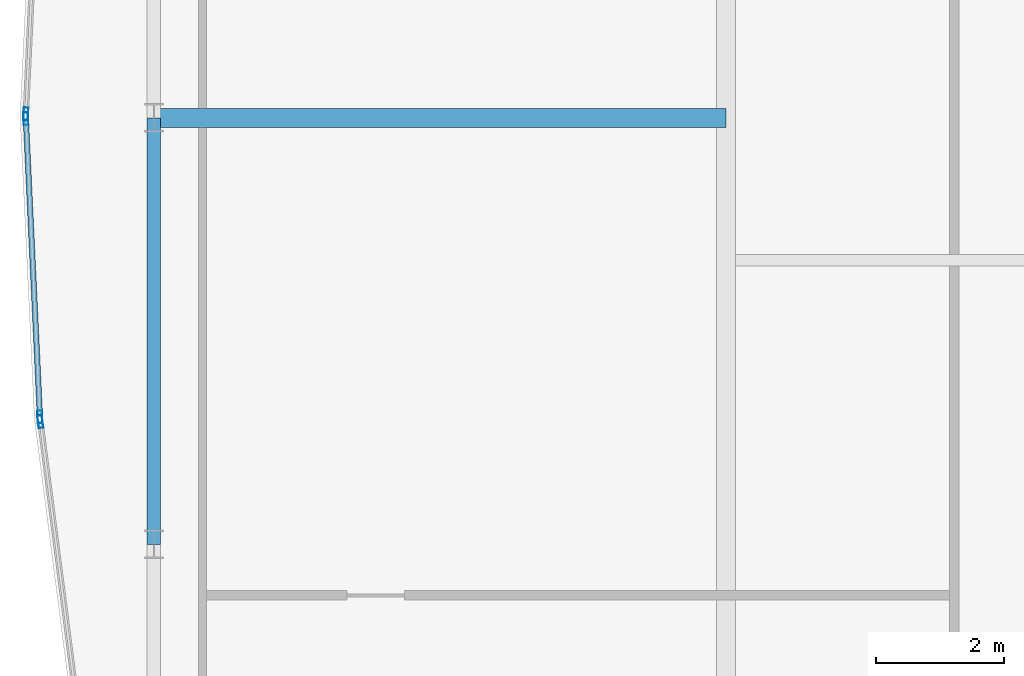
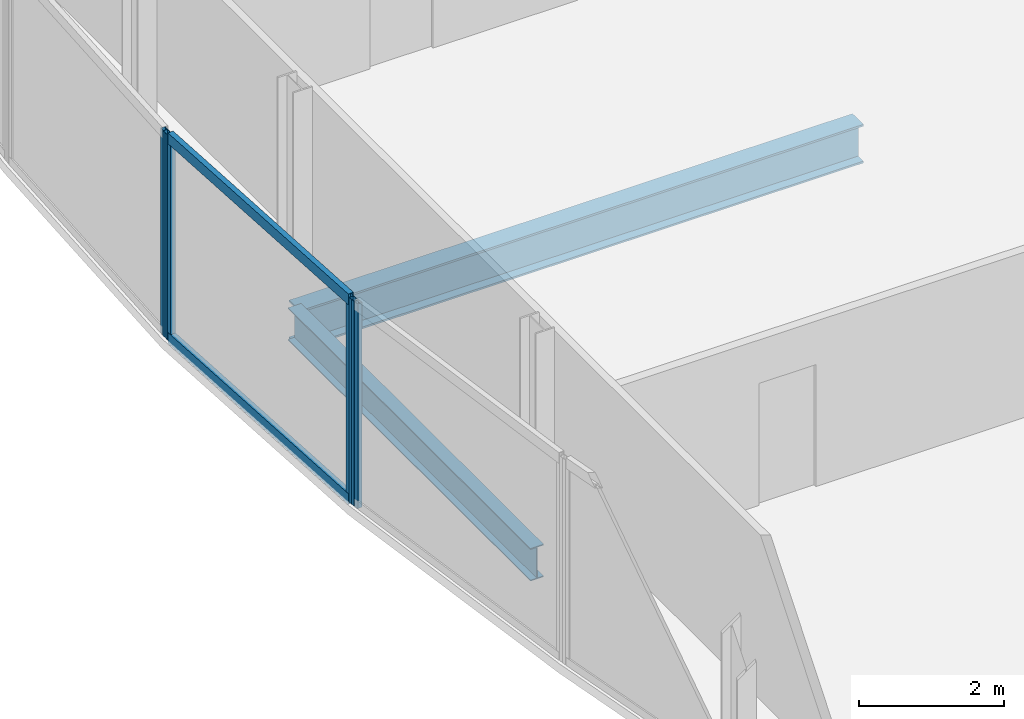
# One storey, part 10 of 30: 6 members, 2 beams, 3 elements without a shape of their own.
"""IFC4 building model written with IfcOpenShell, lengths in metres."""

from ifc_helpers import new_model, si_unit, direction, frame, origin, origin_2d, place, context, subcontext, project, spatial, hollow_rectangle, i_section, extrude, material, material_profile, profile_set, type_object, element, aggregate, save


model = new_model("IFC4")

# Units and contexts
model_context = context("Model", 3, precision=1e-05, world=origin(), true_north=direction((0.0, 1.0)))
body_context = subcontext(model_context, "Body", "Model", "MODEL_VIEW")
ifc_project = project(units=[si_unit("LENGTHUNIT", "METRE"), si_unit("AREAUNIT", "SQUARE_METRE"), si_unit("VOLUMEUNIT", "CUBIC_METRE"), si_unit("PLANEANGLEUNIT", "RADIAN"), si_unit("MASSUNIT", "GRAM", prefix="KILO")], contexts=[model_context])

# Site, building, storey
site_placement = place(None, origin())
site = spatial("IfcSite", under=ifc_project, at=site_placement, CompositionType="ELEMENT")
building_placement = place(site_placement, origin())
building = spatial("IfcBuilding", under=site, at=building_placement, Name="Khoronbel Lancet Exchange", CompositionType="ELEMENT")
storey_placement = place(building_placement, frame((0.0, 0.0, 277.0)))
storey = spatial("IfcBuildingStorey", under=building, at=storey_placement, Name="L71", CompositionType="ELEMENT", Elevation=277.0)

# Beams
ifc_material_1 = material(Name="Steel S355", Category="steel")
ifc_material_profile_1 = material_profile(ifc_material_1, i_section(OverallWidth=0.300048828125, OverallDepth=0.64990234375, WebThickness=0.01611328125, FlangeThickness=0.031005859375, at=origin_2d()), Name="HEB 650")
ifc_profile_set_1 = profile_set([ifc_material_profile_1], Name="Steel S355")
beam_type_1 = type_object("IfcBeamType", Name="BM-BG4", PredefinedType="BEAM", material=ifc_profile_set_1)
beam_1_placement = place(storey_placement, frame((9.27001953125, 31.425048828125, -0.485107421875), z_axis=(1.0, 0.0, 0.0), x_axis=(0.0, 1.0, 0.0)))
element("IfcBeam", 1, at=beam_1_placement, inside=storey, type_object=beam_type_1, Name="Level L71 west lens tie girder LG2W", PredefinedType="BEAM", context=body_context, shape_type="SweptSolid", body=[
    extrude(i_section(OverallWidth=0.300048828125, OverallDepth=0.64990234375, WebThickness=0.01611328125, FlangeThickness=0.031005859375, at=origin_2d()), origin(), (0.0, 0.0, 1.0), 8.955078125),
])
ifc_material_profile_2 = material_profile(ifc_material_1, i_section(OverallWidth=0.2099609375, OverallDepth=0.550048828125, WebThickness=0.010986328125, FlangeThickness=0.01708984375, at=origin_2d()), Name="IPE 550")
ifc_profile_set_2 = profile_set([ifc_material_profile_2], Name="Steel S355")
beam_type_2 = type_object("IfcBeamType", Name="BM-BSP3", PredefinedType="SPANDREL", material=ifc_profile_set_2)
beam_2_placement = place(storey_placement, frame((9.27001953125, 31.425048828125, -0.43505859375), z_axis=(0.0, -1.0, 0.0), x_axis=(1.0, 0.0, 0.0)))
element("IfcBeam", 2, at=beam_2_placement, inside=storey, type_object=beam_type_2, Name="Level L71 perimeter spandrel beam SP19", PredefinedType="SPANDREL", context=body_context, shape_type="SweptSolid", body=[
    extrude(i_section(OverallWidth=0.2099609375, OverallDepth=0.550048828125, WebThickness=0.010986328125, FlangeThickness=0.01708984375, at=origin_2d()), origin(), (0.0, 0.0, 1.0), 6.675048828125),
])

# Curtain wall, member
ifc_material_2 = material(Name="Low-E Solar Control Insulating Glass", Category="glass")
curtain_wall_type = type_object("IfcCurtainWallType", Name="CW-4", PredefinedType="NOTDEFINED", material=ifc_material_2)
curtain_wall_1_placement = place(storey_placement, origin())
curtain_wall_1 = element("IfcCurtainWall", 3, at=curtain_wall_1_placement, inside=storey, type_object=curtain_wall_type, Name="Unitised curtain wall CW-L71-E05", PredefinedType="NOTDEFINED")
ifc_material_3 = material(Name="Bronze-Anodised Aluminium 6063-T6", Category="aluminium")
ifc_material_profile_3 = material_profile(ifc_material_3, hollow_rectangle(XDim=0.074951171875, YDim=0.199951171875, WallThickness=0.0048828125, at=origin_2d()), Name="ALU MULLION 75x200")
ifc_profile_set_3 = profile_set([ifc_material_profile_3], Name="Bronze-Anodised Aluminium 6063-T6")
member_type_1 = type_object("IfcMemberType", Name="MEM-CWM2", PredefinedType="MULLION", material=ifc_profile_set_3)
member_1_placement = place(storey_placement, frame((7.492919921875, 26.670654296875, 0.0), z_axis=(0.0, 0.0, 1.0), x_axis=(-0.991761083348, -0.12810134096, 0.0)))
member_1 = element("IfcMember", 4, at=member_1_placement, type_object=member_type_1, Name="CW4 mullion 2", PredefinedType="MULLION", context=body_context, shape_type="SweptSolid", body=[
    extrude(hollow_rectangle(XDim=0.074951171875, YDim=0.199951171875, WallThickness=0.0048828125, at=origin_2d()), origin(), (0.0, 0.0, 1.0), 3.43994140625),
])
aggregate(curtain_wall_1, [member_1])

# Curtain wall, members
curtain_wall_2_placement = place(storey_placement, origin())
curtain_wall_2 = element("IfcCurtainWall", 5, at=curtain_wall_2_placement, inside=storey, type_object=curtain_wall_type, Name="Unitised curtain wall CW-L71-E06", PredefinedType="NOTDEFINED")
member_2_placement = place(storey_placement, frame((7.486328125, 26.745361328125, 0.0), z_axis=(0.0, 0.0, 1.0), x_axis=(-0.998885229107, -0.047204862799, 0.0)))
member_2 = element("IfcMember", 6, at=member_2_placement, type_object=member_type_1, Name="CW4 mullion 1", PredefinedType="MULLION", context=body_context, shape_type="SweptSolid", body=[
    extrude(hollow_rectangle(XDim=0.074951171875, YDim=0.199951171875, WallThickness=0.0048828125, at=origin_2d()), origin(), (0.0, 0.0, 1.0), 3.43994140625),
])
member_3_placement = place(storey_placement, frame((7.265869140625, 31.41259765625, 0.0), z_axis=(0.0, 0.0, 1.0), x_axis=(-0.998885229107, -0.047204862799, 0.0)))
member_3 = element("IfcMember", 7, at=member_3_placement, type_object=member_type_1, Name="CW4 mullion 2", PredefinedType="MULLION", context=body_context, shape_type="SweptSolid", body=[
    extrude(hollow_rectangle(XDim=0.074951171875, YDim=0.199951171875, WallThickness=0.0048828125, at=origin_2d()), origin(), (0.0, 0.0, 1.0), 3.43994140625),
])

# Curtain wall, member
curtain_wall_3_placement = place(storey_placement, origin())
curtain_wall_3 = element("IfcCurtainWall", 8, at=curtain_wall_3_placement, inside=storey, type_object=curtain_wall_type, Name="Unitised curtain wall CW-L71-E07", PredefinedType="NOTDEFINED")
member_4_placement = place(storey_placement, frame((7.265869140625, 31.487548828125, 0.0), z_axis=(0.0, 0.0, 1.0), x_axis=(-0.998885229107, 0.047204862799, 0.0)))
member_4 = element("IfcMember", 9, at=member_4_placement, type_object=member_type_1, Name="CW4 mullion 1", PredefinedType="MULLION", context=body_context, shape_type="SweptSolid", body=[
    extrude(hollow_rectangle(XDim=0.074951171875, YDim=0.199951171875, WallThickness=0.0048828125, at=origin_2d()), origin(), (0.0, 0.0, 1.0), 3.43994140625),
])
aggregate(curtain_wall_3, [member_4])

# Member
ifc_material_profile_4 = material_profile(ifc_material_3, hollow_rectangle(XDim=0.0849609375, YDim=0.179931640625, WallThickness=0.0048828125, at=origin_2d()), Name="ALU TRANSOM 85x180")
ifc_profile_set_4 = profile_set([ifc_material_profile_4], Name="Bronze-Anodised Aluminium 6063-T6")
member_type_2 = type_object("IfcMemberType", Name="MEM-CWT1", PredefinedType="USERDEFINED", material=ifc_profile_set_4)
member_5_placement = place(storey_placement, frame((7.484619140625, 26.78271484375, 0.04248046875), z_axis=(-0.047209398093, 0.99888501477, 0.0), x_axis=(-0.99888501477, -0.047209398093, 0.0)))
member_5 = element("IfcMember", 10, at=member_5_placement, type_object=member_type_2, Name="CW4 transom 1.1", ObjectType="TRANSOM", PredefinedType="USERDEFINED", context=body_context, shape_type="SweptSolid", body=[
    extrude(hollow_rectangle(XDim=0.0849609375, YDim=0.179931640625, WallThickness=0.0048828125, at=origin_2d()), origin(), (0.0, 0.0, 1.0), 4.597412109375),
])

member_6_placement = place(storey_placement, frame((7.484619140625, 26.78271484375, 3.3974609375), z_axis=(-0.047209398093, 0.99888501477, 0.0), x_axis=(-0.99888501477, -0.047209398093, 0.0)))
member_6 = element("IfcMember", 11, at=member_6_placement, type_object=member_type_2, Name="CW4 transom 1.2", ObjectType="TRANSOM", PredefinedType="USERDEFINED", context=body_context, shape_type="SweptSolid", body=[
    extrude(hollow_rectangle(XDim=0.0849609375, YDim=0.179931640625, WallThickness=0.0048828125, at=origin_2d()), origin(), (0.0, 0.0, 1.0), 4.597412109375),
])

aggregate(curtain_wall_2, [member_2, member_3, member_5, member_6])

save(model, "model.ifc")
